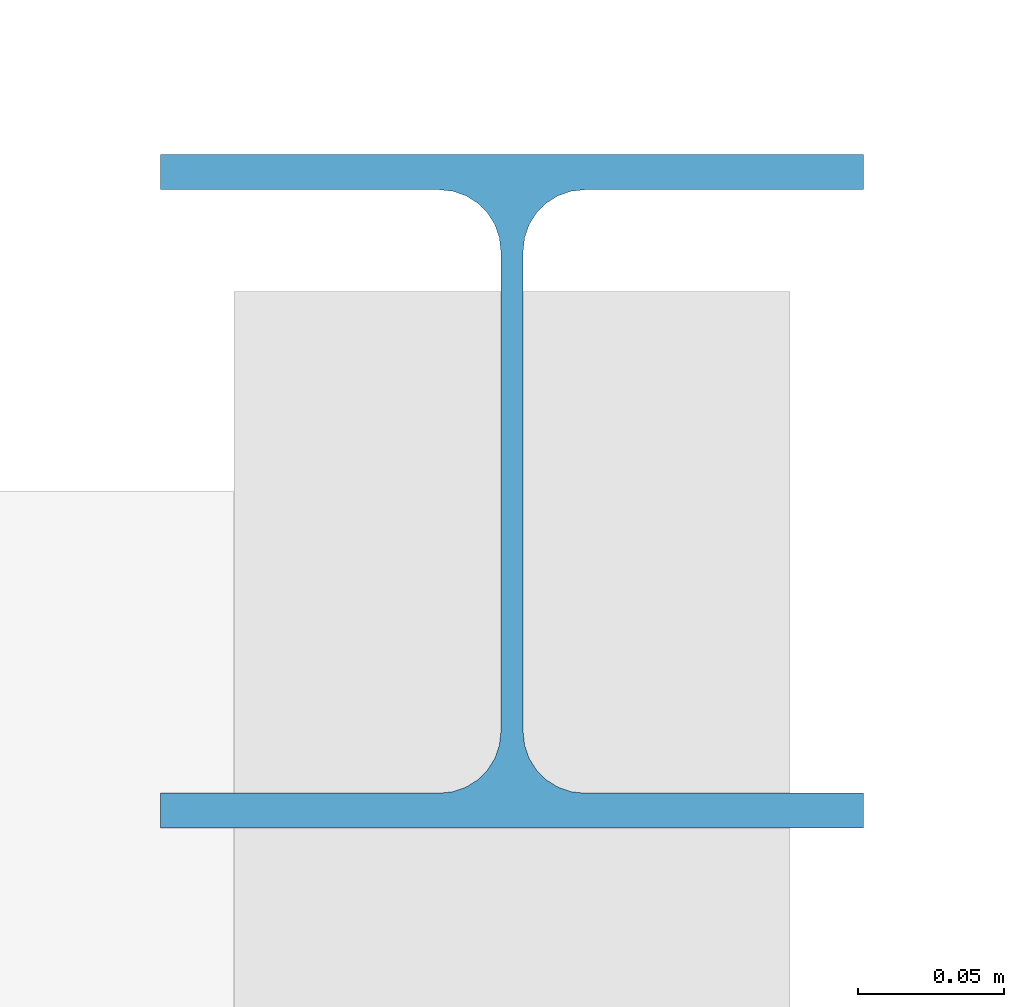
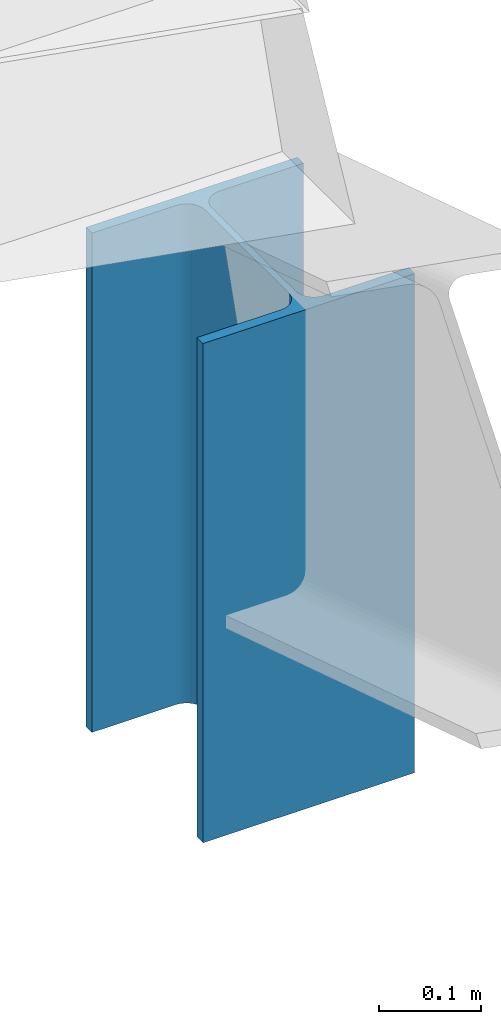
# One storey, part 29 of 54: 1 member.
"""IFC4 building model written with IfcOpenShell, lengths in metres."""

from ifc_helpers import new_model, si_unit, direction, frame, origin, origin_2d, place, context, subcontext, project, spatial, i_section, extrude, material, material_profile, profile_set, type_object, element, save


model = new_model("IFC4")

# Units and contexts
model_context = context("Model", 3, precision=1e-05, world=origin(), true_north=direction((0.0, 1.0)))
body_context = subcontext(model_context, "Body", "Model", "MODEL_VIEW")
ifc_project = project(units=[si_unit("LENGTHUNIT", "METRE"), si_unit("AREAUNIT", "SQUARE_METRE"), si_unit("VOLUMEUNIT", "CUBIC_METRE"), si_unit("PLANEANGLEUNIT", "RADIAN"), si_unit("MASSUNIT", "GRAM", prefix="KILO")], contexts=[model_context])

# Site, building, storey
site_placement = place(None, origin())
site = spatial("IfcSite", under=ifc_project, at=site_placement, CompositionType="ELEMENT")
building_placement = place(site_placement, origin())
building = spatial("IfcBuilding", under=site, at=building_placement, Name="Kenh Van Central Station", CompositionType="ELEMENT")
storey_placement = place(building_placement, frame((0.0, 0.0, 15.0)))
storey = spatial("IfcBuildingStorey", under=building, at=storey_placement, Name="L03", CompositionType="ELEMENT", Elevation=15.0)

# Member
ifc_material = material(Name="Steel S355", Category="steel")
ifc_material_profile = material_profile(ifc_material, i_section(OverallWidth=0.239990234375, OverallDepth=0.22998046875, WebThickness=0.007568359375, FlangeThickness=0.011962890625, FilletRadius=0.02099609375, at=origin_2d()), Name="HEA 240")
ifc_profile_set = profile_set([ifc_material_profile], Name="Steel S355")
member_type = type_object("IfcMemberType", Name="MEM-ROOF-POST240", PredefinedType="POST", material=ifc_profile_set)
member_placement = place(storey_placement, frame((120.0, 40.0, -0.949951171875), z_axis=(0.0, 0.0, 1.0), x_axis=(1.0, 0.0, 0.0)))
element("IfcMember", 1, at=member_placement, inside=storey, type_object=member_type, Name="L03 roof eave post 068", PredefinedType="POST", context=body_context, shape_type="SweptSolid", body=[
    extrude(i_section(OverallWidth=0.239990234375, OverallDepth=0.22998046875, WebThickness=0.007568359375, FlangeThickness=0.011962890625, FilletRadius=0.02099609375, at=origin_2d()), origin(), (0.0, 0.0, 1.0), 0.59814453125),
])

save(model, "model.ifc")
